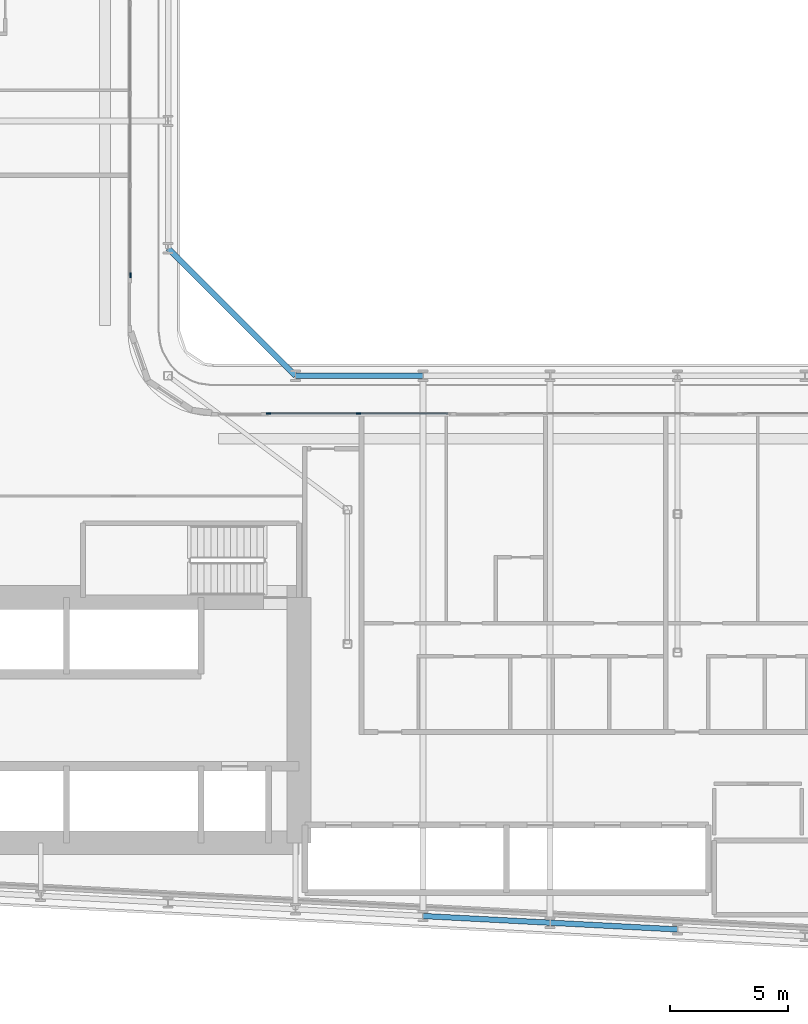
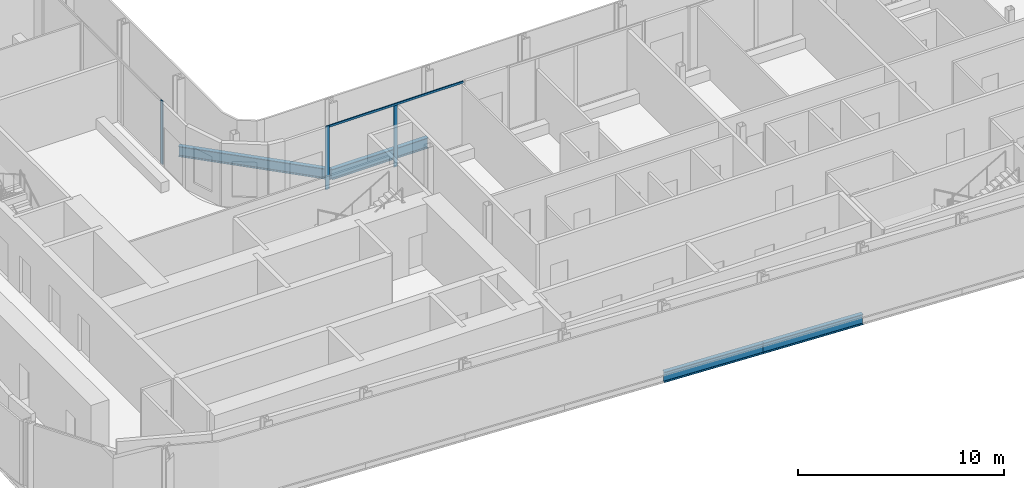
# One storey, part 4 of 27: 4 beams, 4 members, 2 elements without a shape of their own.
"""IFC4 building model written with IfcOpenShell, lengths in metres."""

from ifc_helpers import new_model, si_unit, direction, frame, origin, origin_2d, place, context, subcontext, project, spatial, rectangle, i_section, extrude, material, layer, layer_set, material_profile, profile_set, type_object, element, aggregate, save


model = new_model("IFC4")

# Units and contexts
model_context = context("Model", 3, precision=1e-05, world=origin(), true_north=direction((0.0, 1.0)))
body_context = subcontext(model_context, "Body", "Model", "MODEL_VIEW")
ifc_project = project(units=[si_unit("LENGTHUNIT", "METRE"), si_unit("AREAUNIT", "SQUARE_METRE"), si_unit("VOLUMEUNIT", "CUBIC_METRE"), si_unit("PLANEANGLEUNIT", "RADIAN"), si_unit("MASSUNIT", "GRAM", prefix="KILO")], contexts=[model_context])

# Site, building, storey
site_placement = place(None, origin())
site = spatial("IfcSite", under=ifc_project, at=site_placement, CompositionType="ELEMENT")
building_placement = place(site_placement, origin())
building = spatial("IfcBuilding", under=site, at=building_placement, Name="Kheshtan School and Residences Tower", CompositionType="ELEMENT")
storey_placement = place(building_placement, frame((0.0, 0.0, 57.800048828125)))
storey = spatial("IfcBuildingStorey", under=building, at=storey_placement, Name="L13", CompositionType="ELEMENT", Elevation=57.800048828125)

# Beams
ifc_material_1 = material(Name="Steel ASTM A992 Grade 50", Category="steel")
ifc_material_profile_1 = material_profile(ifc_material_1, i_section(OverallWidth=0.22998046875, OverallDepth=0.616943359375, WebThickness=0.01318359375, FlangeThickness=0.022216796875, FilletRadius=0.0185546875, at=origin_2d()), Name="W610x140")
ifc_profile_set_1 = profile_set([ifc_material_profile_1], Name="Steel ASTM A992 Grade 50")
beam_type = type_object("IfcBeamType", Name="Beam SP1 W610x140 ASTM A992 Grade 50", PredefinedType="BEAM", material=ifc_profile_set_1)
beam_1_placement = place(storey_placement, frame((47.60009765625, 51.0, -0.45849609375), z_axis=(0.707106781187, -0.707106781187, 0.0), x_axis=(0.707106781187, 0.707106781187, 0.0)))
element("IfcBeam", 1, at=beam_1_placement, inside=storey, type_object=beam_type, Name="Spandrel beam C079-C061", PredefinedType="BEAM", context=body_context, shape_type="SweptSolid", body=[
    extrude(i_section(OverallWidth=0.22998046875, OverallDepth=0.616943359375, WebThickness=0.01318359375, FlangeThickness=0.022216796875, FilletRadius=0.0185546875, at=origin_2d()), origin(), (0.0, 0.0, 1.0), 7.63671875),
])
beam_2_placement = place(storey_placement, frame((53.0, 45.60009765625, -0.45849609375), z_axis=(1.0, 0.0, 0.0), x_axis=(0.0, 1.0, 0.0)))
element("IfcBeam", 2, at=beam_2_placement, inside=storey, type_object=beam_type, Name="Spandrel beam C061-C062", PredefinedType="BEAM", context=body_context, shape_type="SweptSolid", body=[
    extrude(i_section(OverallWidth=0.22998046875, OverallDepth=0.616943359375, WebThickness=0.01318359375, FlangeThickness=0.022216796875, FilletRadius=0.0185546875, at=origin_2d()), origin(), (0.0, 0.0, 1.0), 5.39990234375),
])
beam_3_placement = place(storey_placement, frame((69.199951171875, 22.126953125, -0.45849609375), z_axis=(-0.998620447272, 0.05250906864, 0.0), x_axis=(-0.05250906864, -0.998620447272, 0.0)))
element("IfcBeam", 3, at=beam_3_placement, inside=storey, type_object=beam_type, Name="Spandrel beam C014-C016", PredefinedType="BEAM", context=body_context, shape_type="SweptSolid", body=[
    extrude(i_section(OverallWidth=0.22998046875, OverallDepth=0.616943359375, WebThickness=0.01318359375, FlangeThickness=0.022216796875, FilletRadius=0.0185546875, at=origin_2d()), origin(), (0.0, 0.0, 1.0), 5.407470703125),
])
beam_4_placement = place(storey_placement, frame((63.800048828125, 22.410888671875, -0.45849609375), z_axis=(-0.998618203458, 0.052551724256, 0.0), x_axis=(-0.052551724256, -0.998618203458, 0.0)))
element("IfcBeam", 4, at=beam_4_placement, inside=storey, type_object=beam_type, Name="Spandrel beam C016-C018", PredefinedType="BEAM", context=body_context, shape_type="SweptSolid", body=[
    extrude(i_section(OverallWidth=0.22998046875, OverallDepth=0.616943359375, WebThickness=0.01318359375, FlangeThickness=0.022216796875, FilletRadius=0.0185546875, at=origin_2d()), origin(), (0.0, 0.0, 1.0), 5.40771484375),
])

# Curtain wall, member
ifc_material_2 = material(Name="Clear low-e glass in thermally broken aluminium frame", Category="aluminium")
ifc_layer = layer(ifc_material_2, 0.199951171875)
ifc_layer_set = layer_set([ifc_layer], Name="Curtain wall CW-L")
curtain_wall_type = type_object("IfcCurtainWallType", Name="Curtain wall CW-L", PredefinedType="NOTDEFINED", material=ifc_layer_set)
curtain_wall_1_placement = place(storey_placement, origin())
curtain_wall_1 = element("IfcCurtainWall", 5, at=curtain_wall_1_placement, inside=storey, type_object=curtain_wall_type, Name="Curtain wall CWL8", PredefinedType="NOTDEFINED")
ifc_material_3 = material(Name="Thermally broken aluminium, dark bronze anodised", Category="aluminium")
ifc_material_profile_2 = material_profile(ifc_material_3, rectangle(XDim=0.06005859375, YDim=0.199951171875, at=origin_2d()), Name="CW-L mullion 60x200")
ifc_profile_set_2 = profile_set([ifc_material_profile_2], Name="Thermally broken aluminium, dark bronze anodised")
member_type_1 = type_object("IfcMemberType", Name="CW-L mullion 60x200", PredefinedType="MULLION", material=ifc_profile_set_2)
member_1_placement = place(storey_placement, frame((46.0, 49.860107421875, 0.0), z_axis=(0.0, 0.0, 1.0), x_axis=(1.0, 0.0, 0.0)))
member_1 = element("IfcMember", 6, at=member_1_placement, type_object=member_type_1, Name="CWL8 mullion 3", PredefinedType="MULLION", context=body_context, shape_type="SweptSolid", body=[
    extrude(rectangle(XDim=0.06005859375, YDim=0.199951171875, at=origin_2d()), origin(), (0.0, 0.0, 1.0), 3.75),
])
aggregate(curtain_wall_1, [member_1])

# Curtain wall, members
curtain_wall_2_placement = place(storey_placement, origin())
curtain_wall_2 = element("IfcCurtainWall", 7, at=curtain_wall_2_placement, inside=storey, type_object=curtain_wall_type, Name="Curtain wall CWL12j", PredefinedType="NOTDEFINED")
member_2_placement = place(storey_placement, frame((51.860107421875, 44.0, 0.0), z_axis=(0.0, 0.0, 1.0), x_axis=(0.0, 1.0, 0.0)))
member_2 = element("IfcMember", 8, at=member_2_placement, type_object=member_type_1, Name="CWL12j mullion 1", PredefinedType="MULLION", context=body_context, shape_type="SweptSolid", body=[
    extrude(rectangle(XDim=0.06005859375, YDim=0.199951171875, at=origin_2d()), origin(), (0.0, 0.0, 1.0), 3.75),
])
member_3_placement = place(storey_placement, frame((55.677001953125, 44.0, 0.0), z_axis=(0.0, 0.0, 1.0), x_axis=(0.0, 1.0, 0.0)))
member_3 = element("IfcMember", 9, at=member_3_placement, type_object=member_type_1, Name="CWL12j mullion 2", PredefinedType="MULLION", context=body_context, shape_type="SweptSolid", body=[
    extrude(rectangle(XDim=0.06005859375, YDim=0.199951171875, at=origin_2d()), origin(), (0.0, 0.0, 1.0), 3.6298828125),
])
ifc_material_profile_3 = material_profile(ifc_material_3, rectangle(XDim=0.06005859375, YDim=0.1201171875, at=origin_2d()), Name="CW-L transom 60x120")
ifc_profile_set_3 = profile_set([ifc_material_profile_3], Name="Thermally broken aluminium, dark bronze anodised")
member_type_2 = type_object("IfcMemberType", Name="CW-L transom 60x120", PredefinedType="USERDEFINED", material=ifc_profile_set_3)
member_4_placement = place(storey_placement, frame((51.889892578125, 44.0, 3.68994140625), z_axis=(1.0, 0.0, 0.0), x_axis=(0.0, 1.0, 0.0)))
member_4 = element("IfcMember", 10, at=member_4_placement, type_object=member_type_2, Name="CWL12j transom 1", ObjectType="TRANSOM", PredefinedType="USERDEFINED", context=body_context, shape_type="SweptSolid", body=[
    extrude(rectangle(XDim=0.06005859375, YDim=0.1201171875, at=origin_2d()), origin(), (0.0, 0.0, 1.0), 7.57421875),
])
aggregate(curtain_wall_2, [member_2, member_3, member_4])

save(model, "model.ifc")
